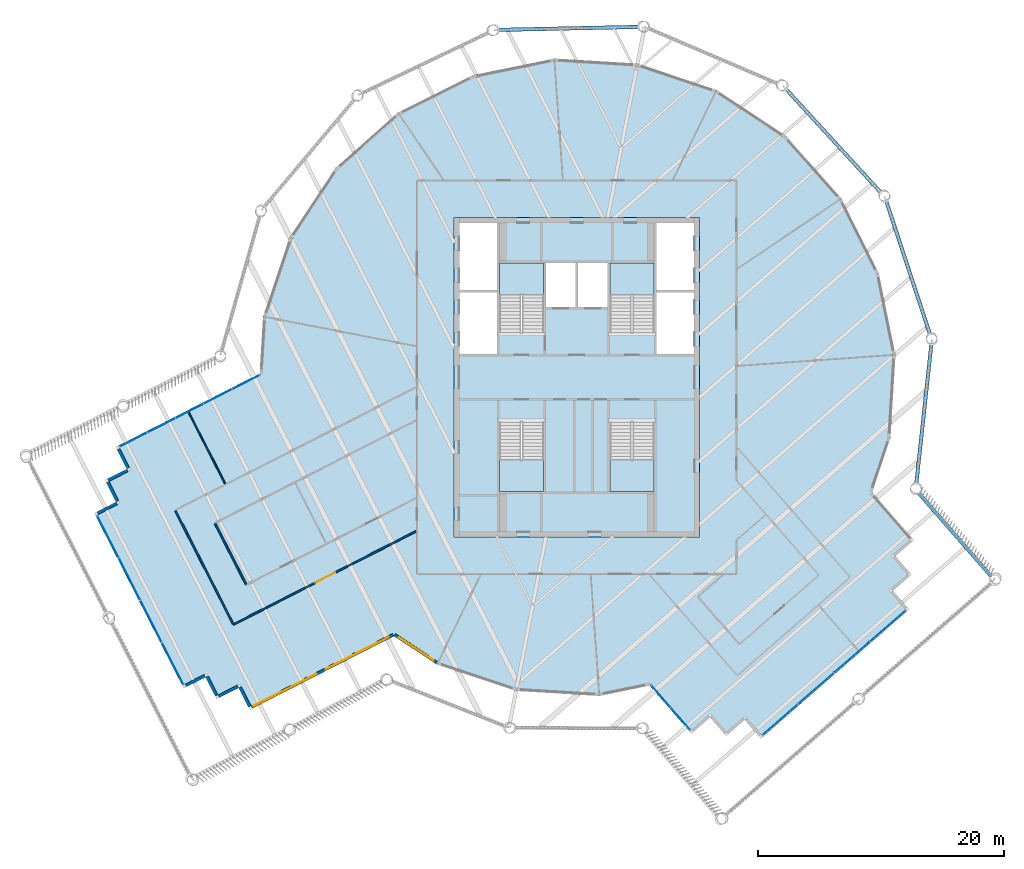
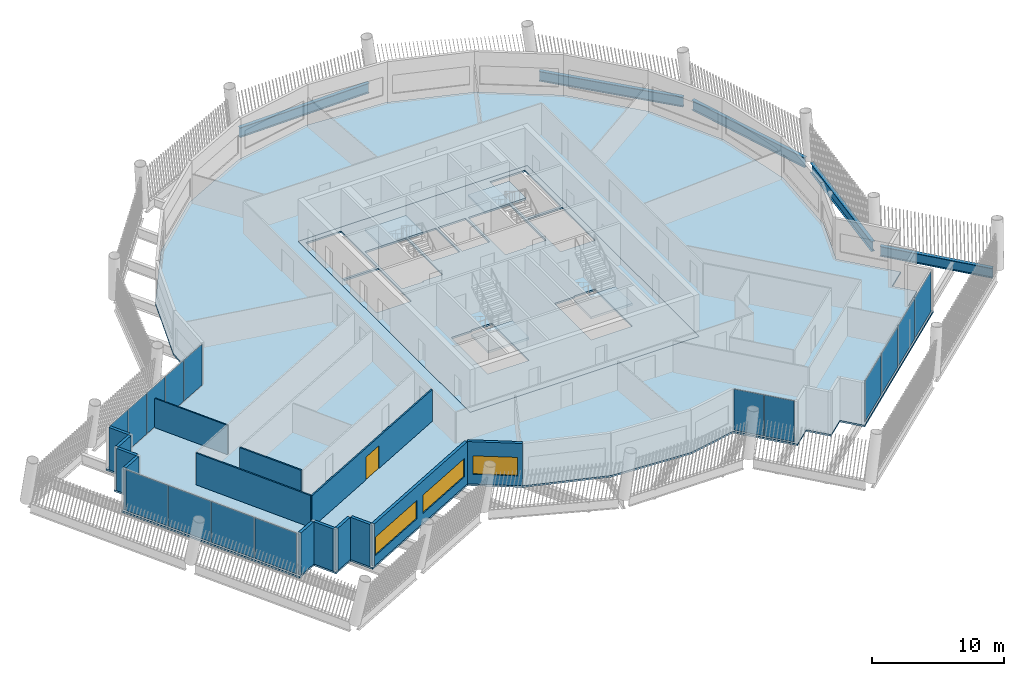
# One storey, part 17 of 28: 15 plates, 14 walls, 6 slabs, 5 beams, 3 windows, 1 door, 4 openings, 8 elements without a shape of their own.
"""IFC4 building model written with IfcOpenShell, lengths in metres."""

from ifc_helpers import new_model, si_unit, direction, frame, frame_2d, origin, origin_2d, place, context, subcontext, project, spatial, polyline, rectangle, i_section, outline, extrude, material, layer, layer_set, material_profile, profile_set, type_object, element, fill, aggregate, save


model = new_model("IFC4")

# Units and contexts
model_context = context("Model", 3, precision=1e-05, world=origin(), true_north=direction((0.0, 1.0)))
body_context = subcontext(model_context, "Body", "Model", "MODEL_VIEW")
ifc_project = project(units=[si_unit("LENGTHUNIT", "METRE"), si_unit("AREAUNIT", "SQUARE_METRE"), si_unit("VOLUMEUNIT", "CUBIC_METRE"), si_unit("PLANEANGLEUNIT", "RADIAN"), si_unit("MASSUNIT", "GRAM", prefix="KILO")], contexts=[model_context])

# Site, building, storey
site_placement = place(None, origin())
site = spatial("IfcSite", under=ifc_project, at=site_placement, CompositionType="ELEMENT")
building_placement = place(site_placement, origin())
building = spatial("IfcBuilding", under=site, at=building_placement, Name="Tarsis Ring Headquarters", CompositionType="ELEMENT")
storey_placement = place(building_placement, frame((0.0, 0.0, 394.39990234375)))
storey = spatial("IfcBuildingStorey", under=building, at=storey_placement, Name="L93", CompositionType="ELEMENT", Elevation=394.39990234375)

# Beams
ifc_material_1 = material(Name="Structural steel S355", Category="steel")
ifc_material_profile = material_profile(ifc_material_1, i_section(OverallWidth=0.3046875, OverallDepth=0.91943359375, WebThickness=0.017333984375, FlangeThickness=0.02783203125, at=origin_2d()), Name="W36x170")
ifc_profile_set = profile_set([ifc_material_profile], Name="Structural steel S355")
beam_type = type_object("IfcBeamType", Name="XG Ring girder W36x170", PredefinedType="BEAM", material=ifc_profile_set)
beam_placement = place(storey_placement, frame((33.741943359375, -16.22021484375, -0.459716796875), z_axis=(-0.656585767051, 0.754251370901, 0.0), x_axis=(-0.754251370901, -0.656585767051, 0.0)))
element("IfcBeam", 1, at=beam_placement, inside=storey, type_object=beam_type, Name="Ring girder XG4", PredefinedType="BEAM", context=body_context, shape_type="SweptSolid", body=[
    extrude(i_section(OverallWidth=0.3046875, OverallDepth=0.91943359375, WebThickness=0.017333984375, FlangeThickness=0.02783203125, at=origin_2d()), origin(), (0.0, 0.0, 1.0), 8.981689453125),
])
for number, where, z_axis, x_axis, name in (
    (2, (27.61865234375, -8.726318359375, -0.459716796875), (0.107286047025, 0.994228195192, 0.0), (-0.994228195192, 0.107286047025, 0.0), "Ring girder XG4"),
    (3, (28.76025390625, 3.43359375, -0.459716796875), (-0.312070911718, 0.950058811895, 0.0), (-0.950058811895, -0.312070911718, 0.0), "Ring girder XG4"),
    (4, (24.7880859375, 14.983154296875, -0.459716796875), (-0.675923928016, 0.736971399401, 0.0), (-0.736971399401, -0.675923928016, 0.0), "Ring girder XG4"),
    (5, (5.111328125, 28.510009765625, -0.459716796875), (-0.999776688544, -0.021132274951, 0.0), (0.021132274951, -0.999776688544, 0.0), "Ring girder XG4"),
):
    element("IfcBeam", number, at=place(storey_placement, frame(where, z_axis=z_axis, x_axis=x_axis)), inside=storey, type_object=beam_type, Name=name, PredefinedType="BEAM", context=body_context, shape_type="SweptSolid", body=[
        extrude(i_section(OverallWidth=0.3046875, OverallDepth=0.91943359375, WebThickness=0.017333984375, FlangeThickness=0.02783203125, at=origin_2d()), origin(), (0.0, 0.0, 1.0), 11.42578125),
    ])

# Slab
ifc_material_2 = material(Name="Concrete C40/50", Category="concrete")
ifc_layer_1 = layer(ifc_material_2, 0.159912109375)
ifc_layer_set_1 = layer_set([ifc_layer_1], Name="Core floor slab 160 C40/50")
slab_type_1 = type_object("IfcSlabType", Name="Core floor slab 160 C40/50", PredefinedType="FLOOR", material=ifc_layer_set_1)
slab_1_placement = place(storey_placement, frame((0.0, 0.0, -0.159912109375)))
element("IfcSlab", 6, at=slab_1_placement, inside=storey, type_object=slab_type_1, Name="L93 core floor slab", PredefinedType="FLOOR", context=body_context, shape_type="SweptSolid", body=[
    extrude(outline(polyline([(-10.0, -13.0), (10.0, -13.0), (10.0, 13.0), (-10.0, 13.0), (-10.0, -13.0)]), holes=[polyline([(-2.5, 5.699951171875), (-0.10009765625, 5.699951171875), (-0.10009765625, 9.300048828125), (-2.5, 9.300048828125), (-2.5, 5.699951171875)]), polyline([(0.10009765625, 5.699951171875), (2.5, 5.699951171875), (2.5, 9.300048828125), (0.10009765625, 9.300048828125), (0.10009765625, 5.699951171875)]), polyline([(-9.550048828125, 1.89990234375), (-6.5, 1.89990234375), (-6.5, 6.89990234375), (-9.550048828125, 6.89990234375), (-9.550048828125, 1.89990234375)]), polyline([(-9.550048828125, 7.10009765625), (-6.5, 7.10009765625), (-6.5, 12.550048828125), (-9.550048828125, 12.550048828125), (-9.550048828125, 7.10009765625)]), polyline([(6.5, 1.89990234375), (9.550048828125, 1.89990234375), (9.550048828125, 6.89990234375), (6.5, 6.89990234375), (6.5, 1.89990234375)]), polyline([(6.5, 7.10009765625), (9.550048828125, 7.10009765625), (9.550048828125, 12.550048828125), (6.5, 12.550048828125), (6.5, 7.10009765625)]), polyline([(-2.699951171875, 3.760009765625), (-2.699951171875, 9.300048828125), (-6.300048828125, 9.300048828125), (-6.300048828125, 3.659912109375), (-4.4599609375, 3.659912109375), (-4.4599609375, 3.760009765625), (-2.699951171875, 3.760009765625)]), polyline([(6.300048828125, 3.760009765625), (6.300048828125, 9.300048828125), (2.699951171875, 9.300048828125), (2.699951171875, 3.659912109375), (4.5400390625, 3.659912109375), (4.5400390625, 3.760009765625), (6.300048828125, 3.760009765625)]), polyline([(-6.300048828125, -3.760009765625), (-6.300048828125, -9.300048828125), (-2.699951171875, -9.300048828125), (-2.699951171875, -3.659912109375), (-4.5400390625, -3.659912109375), (-4.5400390625, -3.760009765625), (-6.300048828125, -3.760009765625)]), polyline([(2.699951171875, -3.760009765625), (2.699951171875, -9.300048828125), (6.300048828125, -9.300048828125), (6.300048828125, -3.659912109375), (4.4599609375, -3.659912109375), (4.4599609375, -3.760009765625), (2.699951171875, -3.760009765625)])]), origin(), (0.0, 0.0, 1.0), 0.159912109375),
])

# Stair, slab
ifc_material_3 = material(Name="Core stair 1760")
stair_type = type_object("IfcStairType", Name="Core stair 1760", PredefinedType="HALF_TURN_STAIR", material=ifc_material_3)
stair_1_placement = place(storey_placement, origin())
stair_1 = element("IfcStair", 7, at=stair_1_placement, inside=storey, type_object=stair_type, Name="L93 Firefighting stair", PredefinedType="HALF_TURN_STAIR")
ifc_layer_2 = layer(ifc_material_2, 0.199951171875)
ifc_layer_set_2 = layer_set([ifc_layer_2], Name="Core stair landing 200")
slab_type_2 = type_object("IfcSlabType", Name="Core stair landing 200", PredefinedType="LANDING", material=ifc_layer_set_2)
slab_2_placement = place(storey_placement, frame((0.0, 0.0, 1.900146484375)))
slab_2 = element("IfcSlab", 8, at=slab_2_placement, type_object=slab_type_2, Name="Stair ST1 landing 1", PredefinedType="LANDING", context=body_context, shape_type="SweptSolid", body=[
    extrude(outline(polyline([(-2.699951171875, 6.739990234375), (-2.699951171875, 9.300048828125), (-6.300048828125, 9.300048828125), (-6.300048828125, 6.739990234375), (-2.699951171875, 6.739990234375)])), origin(), (0.0, 0.0, 1.0), 0.199951171875),
])
aggregate(stair_1, [slab_2])

stair_2_placement = place(storey_placement, origin())
stair_2 = element("IfcStair", 9, at=stair_2_placement, inside=storey, type_object=stair_type, Name="L93 Exit stair B", PredefinedType="HALF_TURN_STAIR")
slab_3_placement = place(storey_placement, frame((0.0, 0.0, 1.900146484375)))
slab_3 = element("IfcSlab", 10, at=slab_3_placement, type_object=slab_type_2, Name="Stair ST2 landing 1", PredefinedType="LANDING", context=body_context, shape_type="SweptSolid", body=[
    extrude(outline(polyline([(6.300048828125, 6.739990234375), (6.300048828125, 9.300048828125), (2.699951171875, 9.300048828125), (2.699951171875, 6.739990234375), (6.300048828125, 6.739990234375)])), origin(), (0.0, 0.0, 1.0), 0.199951171875),
])
aggregate(stair_2, [slab_3])

stair_3_placement = place(storey_placement, origin())
stair_3 = element("IfcStair", 11, at=stair_3_placement, inside=storey, type_object=stair_type, Name="L93 Exit stair C", PredefinedType="HALF_TURN_STAIR")
slab_4_placement = place(storey_placement, frame((0.0, 0.0, 1.900146484375)))
slab_4 = element("IfcSlab", 12, at=slab_4_placement, type_object=slab_type_2, Name="Stair ST3 landing 1", PredefinedType="LANDING", context=body_context, shape_type="SweptSolid", body=[
    extrude(outline(polyline([(-6.300048828125, -6.739990234375), (-6.300048828125, -9.300048828125), (-2.699951171875, -9.300048828125), (-2.699951171875, -6.739990234375), (-6.300048828125, -6.739990234375)])), origin(), (0.0, 0.0, 1.0), 0.199951171875),
])
aggregate(stair_3, [slab_4])

stair_4_placement = place(storey_placement, origin())
stair_4 = element("IfcStair", 13, at=stair_4_placement, inside=storey, type_object=stair_type, Name="L93 Exit stair D", PredefinedType="HALF_TURN_STAIR")
slab_5_placement = place(storey_placement, frame((0.0, 0.0, 1.900146484375)))
slab_5 = element("IfcSlab", 14, at=slab_5_placement, type_object=slab_type_2, Name="Stair ST4 landing 1", PredefinedType="LANDING", context=body_context, shape_type="SweptSolid", body=[
    extrude(outline(polyline([(2.699951171875, -6.739990234375), (2.699951171875, -9.300048828125), (6.300048828125, -9.300048828125), (6.300048828125, -6.739990234375), (2.699951171875, -6.739990234375)])), origin(), (0.0, 0.0, 1.0), 0.199951171875),
])
aggregate(stair_4, [slab_5])

# Curtain wall, plates
ifc_material_4 = material(Name="Aluminium curtain wall", Category="aluminium")
ifc_layer_3 = layer(ifc_material_4, 0.199951171875)
ifc_layer_set_3 = layer_set([ifc_layer_3], Name="Curtain wall executive tip")
curtain_wall_type_1 = type_object("IfcCurtainWallType", Name="Curtain wall executive tip", PredefinedType="NOTDEFINED", material=ifc_layer_set_3)
curtain_wall_1_placement = place(storey_placement, origin())
curtain_wall_1 = element("IfcCurtainWall", 15, at=curtain_wall_1_placement, inside=storey, type_object=curtain_wall_type_1, Name="Curtain wall L93-11", PredefinedType="NOTDEFINED")
ifc_material_5 = material(Name="Clear double glazing", Category="glass")
ifc_layer_4 = layer(ifc_material_5, 0.028076171875)
ifc_layer_set_4 = layer_set([ifc_layer_4], Name="Curtain wall glass panel executive tip")
plate_type_1 = type_object("IfcPlateType", Name="Curtain wall glass panel executive tip", PredefinedType="CURTAIN_PANEL", material=ifc_layer_set_4)
plate_1_placement = place(storey_placement, frame((16.557861328125, -27.8466796875, 0.0703125), z_axis=(0.0, 0.0, 1.0), x_axis=(0.754251376416, 0.656585760716, 0.0)))
plate_1 = element("IfcPlate", 16, at=plate_1_placement, type_object=plate_type_1, Name="CW-E panel 1.1", PredefinedType="CURTAIN_PANEL", context=body_context, shape_type="SweptSolid", body=[
    extrude(rectangle(XDim=3.77001953125, YDim=0.028076171875, at=origin_2d()), origin(), (0.0, 0.0, 1.0), 3.760009765625),
])
plate_2_placement = place(storey_placement, frame((19.46728515625, -25.31396484375, 0.0703125), z_axis=(0.0, 0.0, 1.0), x_axis=(0.754251376416, 0.656585760716, 0.0)))
plate_2 = element("IfcPlate", 17, at=plate_2_placement, type_object=plate_type_1, Name="CW-E panel 2.1", PredefinedType="CURTAIN_PANEL", context=body_context, shape_type="SweptSolid", body=[
    extrude(rectangle(XDim=3.804931640625, YDim=0.028076171875, at=origin_2d()), origin(), (0.0, 0.0, 1.0), 3.760009765625),
])
plate_3_placement = place(storey_placement, frame((22.39013671875, -22.76953125, 0.0703125), z_axis=(0.0, 0.0, 1.0), x_axis=(0.754251376416, 0.656585760716, 0.0)))
plate_3 = element("IfcPlate", 18, at=plate_3_placement, type_object=plate_type_1, Name="CW-E panel 3.1", PredefinedType="CURTAIN_PANEL", context=body_context, shape_type="SweptSolid", body=[
    extrude(rectangle(XDim=3.804931640625, YDim=0.028076171875, at=origin_2d()), origin(), (0.0, 0.0, 1.0), 3.760009765625),
])
plate_4_placement = place(storey_placement, frame((25.299560546875, -20.23681640625, 0.0703125), z_axis=(0.0, 0.0, 1.0), x_axis=(0.754251376416, 0.656585760716, 0.0)))
plate_4 = element("IfcPlate", 19, at=plate_4_placement, type_object=plate_type_1, Name="CW-E panel 4.1", PredefinedType="CURTAIN_PANEL", context=body_context, shape_type="SweptSolid", body=[
    extrude(rectangle(XDim=3.77001953125, YDim=0.028076171875, at=origin_2d()), origin(), (0.0, 0.0, 1.0), 3.760009765625),
])
aggregate(curtain_wall_1, [plate_1, plate_2, plate_3, plate_4])

curtain_wall_2_placement = place(storey_placement, origin())
curtain_wall_2 = element("IfcCurtainWall", 20, at=curtain_wall_2_placement, inside=storey, type_object=curtain_wall_type_1, Name="Curtain wall L93-36", PredefinedType="NOTDEFINED")
plate_5_placement = place(storey_placement, frame((-38.150634765625, -12.966064453125, 0.0703125), z_axis=(0.0, 0.0, 1.0), x_axis=(0.454612449801, -0.890689351281, 0.0)))
plate_5 = element("IfcPlate", 21, at=plate_5_placement, type_object=plate_type_1, Name="CW-E panel 1.1", PredefinedType="CURTAIN_PANEL", context=body_context, shape_type="SweptSolid", body=[
    extrude(rectangle(XDim=3.77001953125, YDim=0.028076171875, at=origin_2d()), origin(), (0.0, 0.0, 1.0), 3.760009765625),
])
plate_6_placement = place(storey_placement, frame((-36.39697265625, -16.40185546875, 0.0703125), z_axis=(0.0, 0.0, 1.0), x_axis=(0.454612449801, -0.890689351281, 0.0)))
plate_6 = element("IfcPlate", 22, at=plate_6_placement, type_object=plate_type_1, Name="CW-E panel 2.1", PredefinedType="CURTAIN_PANEL", context=body_context, shape_type="SweptSolid", body=[
    extrude(rectangle(XDim=3.804931640625, YDim=0.028076171875, at=origin_2d()), origin(), (0.0, 0.0, 1.0), 3.760009765625),
])
plate_7_placement = place(storey_placement, frame((-34.635498046875, -19.853271484375, 0.0703125), z_axis=(0.0, 0.0, 1.0), x_axis=(0.454612449801, -0.890689351281, 0.0)))
plate_7 = element("IfcPlate", 23, at=plate_7_placement, type_object=plate_type_1, Name="CW-E panel 3.1", PredefinedType="CURTAIN_PANEL", context=body_context, shape_type="SweptSolid", body=[
    extrude(rectangle(XDim=3.804931640625, YDim=0.028076171875, at=origin_2d()), origin(), (0.0, 0.0, 1.0), 3.760009765625),
])
plate_8_placement = place(storey_placement, frame((-32.8818359375, -23.289306640625, 0.0703125), z_axis=(0.0, 0.0, 1.0), x_axis=(0.454612449801, -0.890689351281, 0.0)))
plate_8 = element("IfcPlate", 24, at=plate_8_placement, type_object=plate_type_1, Name="CW-E panel 4.1", PredefinedType="CURTAIN_PANEL", context=body_context, shape_type="SweptSolid", body=[
    extrude(rectangle(XDim=3.77001953125, YDim=0.028076171875, at=origin_2d()), origin(), (0.0, 0.0, 1.0), 3.760009765625),
])
aggregate(curtain_wall_2, [plate_5, plate_6, plate_7, plate_8])

ifc_layer_5 = layer(ifc_material_4, 0.14990234375)
ifc_layer_set_5 = layer_set([ifc_layer_5], Name="Curtain wall tower unit")
curtain_wall_type_2 = type_object("IfcCurtainWallType", Name="Curtain wall tower unit", PredefinedType="NOTDEFINED", material=ifc_layer_set_5)
curtain_wall_3_placement = place(storey_placement, origin())
curtain_wall_3 = element("IfcCurtainWall", 25, at=curtain_wall_3_placement, inside=storey, type_object=curtain_wall_type_2, Name="Curtain wall L93-06", PredefinedType="NOTDEFINED")
ifc_layer_6 = layer(ifc_material_5, 0.028076171875)
ifc_layer_set_6 = layer_set([ifc_layer_6], Name="Curtain wall glass panel tower unit")
plate_type_2 = type_object("IfcPlateType", Name="Curtain wall glass panel tower unit", PredefinedType="CURTAIN_PANEL", material=ifc_layer_set_6)
plate_9_placement = place(storey_placement, frame((6.849609375, -25.954345703125, 0.06005859375), z_axis=(0.0, 0.0, 1.0), x_axis=(0.656585830868, -0.754251315348, 0.0)))
plate_9 = element("IfcPlate", 26, at=plate_9_placement, type_object=plate_type_2, Name="CW-T panel 1.1", PredefinedType="CURTAIN_PANEL", context=body_context, shape_type="SweptSolid", body=[
    extrude(rectangle(XDim=2.37109375, YDim=0.028076171875, at=origin_2d()), origin(), (0.0, 0.0, 1.0), 3.780029296875),
])
plate_10_placement = place(storey_placement, frame((8.44580078125, -27.7880859375, 0.06005859375), z_axis=(0.0, 0.0, 1.0), x_axis=(0.656585830868, -0.754251315348, 0.0)))
plate_10 = element("IfcPlate", 27, at=plate_10_placement, type_object=plate_type_2, Name="CW-T panel 2.1", PredefinedType="CURTAIN_PANEL", context=body_context, shape_type="SweptSolid", body=[
    extrude(rectangle(XDim=2.37109375, YDim=0.028076171875, at=origin_2d()), origin(), (0.0, 0.0, 1.0), 3.780029296875),
])
aggregate(curtain_wall_3, [plate_9, plate_10])

curtain_wall_4_placement = place(storey_placement, origin())
curtain_wall_4 = element("IfcCurtainWall", 28, at=curtain_wall_4_placement, inside=storey, type_object=curtain_wall_type_2, Name="Curtain wall L93-31", PredefinedType="NOTDEFINED")
plate_11_placement = place(storey_placement, frame((-26.912109375, -0.40380859375, 0.06005859375), z_axis=(0.0, 0.0, 1.0), x_axis=(-0.890689346251, -0.454612459657, 0.0)))
plate_11 = element("IfcPlate", 29, at=plate_11_placement, type_object=plate_type_2, Name="CW-T panel 1.1", PredefinedType="CURTAIN_PANEL", context=body_context, shape_type="SweptSolid", body=[
    extrude(rectangle(XDim=2.490234375, YDim=0.028076171875, at=origin_2d()), origin(), (0.0, 0.0, 1.0), 3.780029296875),
])
plate_12_placement = place(storey_placement, frame((-29.197021484375, -1.56982421875, 0.06005859375), z_axis=(0.0, 0.0, 1.0), x_axis=(-0.890689346251, -0.454612459657, 0.0)))
plate_12 = element("IfcPlate", 30, at=plate_12_placement, type_object=plate_type_2, Name="CW-T panel 2.1", PredefinedType="CURTAIN_PANEL", context=body_context, shape_type="SweptSolid", body=[
    extrude(rectangle(XDim=2.520263671875, YDim=0.028076171875, at=origin_2d()), origin(), (0.0, 0.0, 1.0), 3.780029296875),
])
plate_13_placement = place(storey_placement, frame((-31.4951171875, -2.742919921875, 0.06005859375), z_axis=(0.0, 0.0, 1.0), x_axis=(-0.890689346251, -0.454612459657, 0.0)))
plate_13 = element("IfcPlate", 31, at=plate_13_placement, type_object=plate_type_2, Name="CW-T panel 3.1", PredefinedType="CURTAIN_PANEL", context=body_context, shape_type="SweptSolid", body=[
    extrude(rectangle(XDim=2.520263671875, YDim=0.028076171875, at=origin_2d()), origin(), (0.0, 0.0, 1.0), 3.780029296875),
])
plate_14_placement = place(storey_placement, frame((-33.79345703125, -3.916015625, 0.06005859375), z_axis=(0.0, 0.0, 1.0), x_axis=(-0.890689346251, -0.454612459657, 0.0)))
plate_14 = element("IfcPlate", 32, at=plate_14_placement, type_object=plate_type_2, Name="CW-T panel 4.1", PredefinedType="CURTAIN_PANEL", context=body_context, shape_type="SweptSolid", body=[
    extrude(rectangle(XDim=2.520263671875, YDim=0.028076171875, at=origin_2d()), origin(), (0.0, 0.0, 1.0), 3.780029296875),
])
plate_15_placement = place(storey_placement, frame((-36.078125, -5.08203125, 0.06005859375), z_axis=(0.0, 0.0, 1.0), x_axis=(-0.890689346251, -0.454612459657, 0.0)))
plate_15 = element("IfcPlate", 33, at=plate_15_placement, type_object=plate_type_2, Name="CW-T panel 5.1", PredefinedType="CURTAIN_PANEL", context=body_context, shape_type="SweptSolid", body=[
    extrude(rectangle(XDim=2.490234375, YDim=0.028076171875, at=origin_2d()), origin(), (0.0, 0.0, 1.0), 3.780029296875),
])
aggregate(curtain_wall_4, [plate_11, plate_12, plate_13, plate_14, plate_15])

# Slab
ifc_material_6 = material(Name="Concrete C35/45", Category="concrete")
ifc_layer_7 = layer(ifc_material_6, 0.159912109375)
ifc_layer_set_7 = layer_set([ifc_layer_7], Name="FS Composite floor slab 160")
slab_type_3 = type_object("IfcSlabType", Name="FS Composite floor slab 160", PredefinedType="FLOOR", material=ifc_layer_set_7)
slab_6_placement = place(storey_placement, frame((0.0, 0.0, -0.159912109375)))
element("IfcSlab", 34, at=slab_6_placement, inside=storey, type_object=slab_type_3, Name="Floor slab L93", PredefinedType="FLOOR", context=body_context, shape_type="SweptSolid", body=[
    extrude(outline(polyline([(-14.877197265625, -21.066162109375), (-11.38134765625, -23.376708984375), (-4.943115234375, -25.52587890625), (1.831787109375, -25.935302734375), (5.9375, -25.09716796875), (9.33349609375, -28.998046875), (10.841796875, -27.684814453125), (12.155029296875, -29.193359375), (13.66357421875, -27.880126953125), (14.976806640625, -29.388671875), (27.044677734375, -18.88330078125), (25.731689453125, -17.374755859375), (27.239990234375, -16.061767578125), (25.927001953125, -14.55322265625), (27.435302734375, -13.239990234375), (24.05322265625, -9.354736328125), (25.52587890625, -4.943115234375), (25.935302734375, 1.831787109375), (24.57763671875, 8.48193359375), (21.544921875, 14.553955078125), (17.0439453125, 19.63427734375), (11.38134765625, 23.376708984375), (4.943115234375, 25.52587890625), (-1.831787109375, 25.935302734375), (-8.48193359375, 24.57763671875), (-14.553955078125, 21.544921875), (-19.63427734375, 17.0439453125), (-23.376708984375, 11.38134765625), (-25.52587890625, 4.943115234375), (-25.806396484375, 0.301025390625), (-37.520263671875, -5.677734375), (-36.61083984375, -7.459228515625), (-38.392333984375, -8.368408203125), (-37.483154296875, -10.149658203125), (-39.264404296875, -11.05908203125), (-31.99072265625, -25.31005859375), (-30.209228515625, -24.40087890625), (-29.300048828125, -26.18212890625), (-27.518798828125, -25.27294921875), (-26.609375, -27.05419921875), (-14.877197265625, -21.066162109375)]), holes=[polyline([(-10.0, -13.0), (-10.0, 13.0), (10.0, 13.0), (10.0, -13.0), (-10.0, -13.0)])]), origin(), (0.0, 0.0, 1.0), 0.159912109375),
])

# Wall
ifc_material_7 = material(Name="Gypsum board on steel studs", Category="steel")
ifc_layer_8 = layer(ifc_material_7, 0.10009765625)
ifc_layer_set_8 = layer_set([ifc_layer_8], Name="FL partition 100 unrated")
wall_type_1 = type_object("IfcWallType", Name="FL partition 100 unrated", PredefinedType="PARTITIONING", material=ifc_layer_set_8)
wall_1_placement = place(storey_placement, frame((-31.63671875, -2.73095703125, 0.0), z_axis=(0.0, 0.0, 1.0), x_axis=(0.454617544122, -0.890686751095, 0.0)))
element("IfcWall", 35, at=wall_1_placement, inside=storey, type_object=wall_type_1, Name="Partition PW3", PredefinedType="PARTITIONING", context=body_context, shape_type="SweptSolid", body=[
    extrude(rectangle(XDim=6.66015625, YDim=0.10009765625, at=frame_2d((3.330078125, 0.0))), origin(), (0.0, 0.0, 1.0), 2.7001953125),
])

# Wall, opening, door
ifc_layer_9 = layer(ifc_material_7, 0.125)
ifc_layer_set_9 = layer_set([ifc_layer_9], Name="FL partition 125 EI 60 H2930")
wall_type_2 = type_object("IfcWallType", Name="FL partition 125 EI 60 H2930", PredefinedType="PARTITIONING", material=ifc_layer_set_9)
wall_2_placement = place(storey_placement, frame((-27.93701171875, -20.119873046875, 0.0), z_axis=(0.0, 0.0, 1.0), x_axis=(0.890690514184, 0.454610171403, 0.0)))
wall_2 = element("IfcWall", 36, at=wall_2_placement, inside=storey, type_object=wall_type_2, Name="Partition PW1H293", PredefinedType="PARTITIONING", context=body_context, shape_type="SweptSolid", body=[
    extrude(rectangle(XDim=16.68017578125, YDim=0.125, at=frame_2d((8.340087890625, 0.0))), origin(), (0.0, 0.0, 1.0), 2.93017578125),
])
opening_1_placement = place(wall_2_placement, frame((7.485107421875, 0.0, 0.0)))
opening_1 = element("IfcOpeningElement", 37, at=opening_1_placement, cuts=wall_2, Name="Opening D93.01", PredefinedType="OPENING", context=body_context, shape_type="SweptSolid", body=[
    extrude(rectangle(XDim=1.800048828125, YDim=2.10009765625, at=frame_2d((0.89990234375, 1.050048828125))), frame((0.0, 0.072509765625, 0.0), z_axis=(0.0, -1.0, 0.0), x_axis=(1.0, 0.0, 0.0)), (0.0, 0.0, 1.0), 0.14501953125),
])
ifc_material_8 = material(Name="Fire-rated timber door leaf in steel frame", Category="steel")
door_type = type_object("IfcDoorType", Name="FL door FD60-1800", OperationType="DOUBLE_DOOR_SINGLE_SWING", PredefinedType="DOOR", material=ifc_material_8)
door_placement = place(opening_1_placement, origin())
door = element("IfcDoor", 38, at=door_placement, inside=storey, type_object=door_type, Name="Door D93.01", OperationType="DOUBLE_DOOR_SINGLE_SWING", OverallHeight=2.10009765625, OverallWidth=1.800048828125, PredefinedType="DOOR", context=body_context, shape_type="SweptSolid", body=[
    extrude(rectangle(XDim=1.800048828125, YDim=2.10009765625, at=frame_2d((0.89990234375, 1.050048828125))), frame((0.0, 0.02490234375, 0.0), z_axis=(0.0, -1.0, 0.0), x_axis=(1.0, 0.0, 0.0)), (0.0, 0.0, 1.0), 0.050048828125),
])
fill(opening_1, door)

# Walls
wall_3_placement = place(storey_placement, frame((-32.656005859375, -10.87451171875, 0.0), z_axis=(0.0, 0.0, 1.0), x_axis=(0.454617054424, -0.890687001043, 0.0)))
element("IfcWall", 39, at=wall_3_placement, inside=storey, type_object=wall_type_2, Name="Partition PW1H293", PredefinedType="PARTITIONING", context=body_context, shape_type="SweptSolid", body=[
    extrude(rectangle(XDim=10.320068359375, YDim=0.125, at=frame_2d((5.16015625, 0.0))), origin(), (0.0, 0.0, 1.0), 2.93017578125),
])
wall_4_placement = place(storey_placement, frame((-29.42724609375, -11.921142578125, 0.0), z_axis=(0.0, 0.0, 1.0), x_axis=(0.454628614254, -0.890681100676, 0.0)))
element("IfcWall", 40, at=wall_4_placement, inside=storey, type_object=wall_type_2, Name="Partition PW1H293", PredefinedType="PARTITIONING", context=body_context, shape_type="SweptSolid", body=[
    extrude(rectangle(XDim=5.52001953125, YDim=0.125, at=frame_2d((2.760009765625, 0.0))), origin(), (0.0, 0.0, 1.0), 2.93017578125),
])

# Wall, openings, windows
ifc_material_9 = material(Name="Terracotta clad insulated panel wall", Category="masonry")
ifc_layer_10 = layer(ifc_material_9, 0.25)
ifc_layer_set_10 = layer_set([ifc_layer_10], Name="Facade wall terracotta panel 250")
wall_type_3 = type_object("IfcWallType", Name="Facade wall terracotta panel 250", PredefinedType="STANDARD", material=ifc_layer_set_10)
wall_5_placement = place(storey_placement, frame((-26.443603515625, -26.829345703125, 0.0), z_axis=(0.0, 0.0, 1.0), x_axis=(0.890689587916, 0.454611986179, 0.0)))
wall_5 = element("IfcWall", 41, at=wall_5_placement, inside=storey, type_object=wall_type_3, Name="External wall L93-01", PredefinedType="STANDARD", context=body_context, shape_type="SweptSolid", body=[
    extrude(rectangle(XDim=12.922119140625, YDim=0.25, at=frame_2d((6.4609375, 0.0))), origin(), (0.0, 0.0, 1.0), 3.900146484375),
])
opening_2_placement = place(wall_5_placement, frame((0.16796875, 0.0, 0.89990234375)))
opening_2 = element("IfcOpeningElement", 42, at=opening_2_placement, cuts=wall_5, Name="Opening WN06", PredefinedType="OPENING", context=body_context, shape_type="SweptSolid", body=[
    extrude(rectangle(XDim=5.75, YDim=1.699951171875, at=frame_2d((2.875, 0.85009765625))), frame((0.0, 0.135009765625, 0.0), z_axis=(0.0, -1.0, 0.0), x_axis=(1.0, 0.0, 0.0)), (0.0, 0.0, 1.0), 0.27001953125),
])
opening_3_placement = place(wall_5_placement, frame((6.75390625, 0.0, 0.89990234375)))
opening_3 = element("IfcOpeningElement", 43, at=opening_3_placement, cuts=wall_5, Name="Opening WN06", PredefinedType="OPENING", context=body_context, shape_type="SweptSolid", body=[
    extrude(rectangle(XDim=5.75, YDim=1.699951171875, at=frame_2d((2.875, 0.85009765625))), frame((0.0, 0.135009765625, 0.0), z_axis=(0.0, -1.0, 0.0), x_axis=(1.0, 0.0, 0.0)), (0.0, 0.0, 1.0), 0.27001953125),
])
ifc_material_10 = material(Name="Aluminium framed double glazing", Category="aluminium")
window_type_1 = type_object("IfcWindowType", Name="Facade window 5750 x 1700", PartitioningType="SINGLE_PANEL", PredefinedType="WINDOW", material=ifc_material_10)
window_1_placement = place(opening_2_placement, origin())
window_1 = element("IfcWindow", 44, at=window_1_placement, inside=storey, type_object=window_type_1, Name="Window L93-01.1", OverallHeight=1.699951171875, OverallWidth=5.75, PartitioningType="SINGLE_PANEL", PredefinedType="WINDOW", context=body_context, shape_type="SweptSolid", body=[
    extrude(rectangle(XDim=5.75, YDim=1.699951171875, at=frame_2d((2.875, 0.85009765625))), frame((0.0, 0.030029296875, 0.0), z_axis=(0.0, -1.0, 0.0), x_axis=(1.0, 0.0, 0.0)), (0.0, 0.0, 1.0), 0.06005859375),
])
fill(opening_2, window_1)
window_2_placement = place(opening_3_placement, origin())
window_2 = element("IfcWindow", 45, at=window_2_placement, inside=storey, type_object=window_type_1, Name="Window L93-01.2", OverallHeight=1.699951171875, OverallWidth=5.75, PartitioningType="SINGLE_PANEL", PredefinedType="WINDOW", context=body_context, shape_type="SweptSolid", body=[
    extrude(rectangle(XDim=5.75, YDim=1.699951171875, at=frame_2d((2.875, 0.85009765625))), frame((0.0, 0.030029296875, 0.0), z_axis=(0.0, -1.0, 0.0), x_axis=(1.0, 0.0, 0.0)), (0.0, 0.0, 1.0), 0.06005859375),
])
fill(opening_3, window_2)

# Wall, opening, window
wall_6_placement = place(storey_placement, frame((-14.808349609375, -20.9619140625, 0.0), z_axis=(0.0, 0.0, 1.0), x_axis=(0.834275028653, -0.551348507357, 0.0)))
wall_6 = element("IfcWall", 46, at=wall_6_placement, inside=storey, type_object=wall_type_3, Name="External wall L93-02", PredefinedType="STANDARD", context=body_context, shape_type="SweptSolid", body=[
    extrude(rectangle(XDim=4.157470703125, YDim=0.25, at=frame_2d((2.07861328125, 0.0))), origin(), (0.0, 0.0, 1.0), 3.900146484375),
])
opening_4_placement = place(wall_6_placement, frame((0.420166015625, 0.0, 0.89990234375)))
opening_4 = element("IfcOpeningElement", 47, at=opening_4_placement, cuts=wall_6, Name="Opening WN01", PredefinedType="OPENING", context=body_context, shape_type="SweptSolid", body=[
    extrude(rectangle(XDim=3.35009765625, YDim=1.699951171875, at=frame_2d((1.675048828125, 0.85009765625))), frame((0.0, 0.135009765625, 0.0), z_axis=(0.0, -1.0, 0.0), x_axis=(1.0, 0.0, 0.0)), (0.0, 0.0, 1.0), 0.27001953125),
])
window_type_2 = type_object("IfcWindowType", Name="Facade window 3350 x 1700", PartitioningType="SINGLE_PANEL", PredefinedType="WINDOW", material=ifc_material_10)
window_3_placement = place(opening_4_placement, origin())
window_3 = element("IfcWindow", 48, at=window_3_placement, inside=storey, type_object=window_type_2, Name="Window L93-02.1", OverallHeight=1.699951171875, OverallWidth=3.35009765625, PartitioningType="SINGLE_PANEL", PredefinedType="WINDOW", context=body_context, shape_type="SweptSolid", body=[
    extrude(rectangle(XDim=3.35009765625, YDim=1.699951171875, at=frame_2d((1.675048828125, 0.85009765625))), frame((0.0, 0.030029296875, 0.0), z_axis=(0.0, -1.0, 0.0), x_axis=(1.0, 0.0, 0.0)), (0.0, 0.0, 1.0), 0.06005859375),
])
fill(opening_4, window_3)

# Walls
wall_7_placement = place(storey_placement, frame((-37.295166015625, -5.843505859375, 0.0), z_axis=(0.0, 0.0, 1.0), x_axis=(0.454619420585, -0.890685793323, 0.0)))
element("IfcWall", 49, at=wall_7_placement, inside=storey, type_object=wall_type_3, Name="External wall L93-32", PredefinedType="STANDARD", context=body_context, shape_type="SweptSolid", body=[
    extrude(rectangle(XDim=1.750244140625, YDim=0.25, at=frame_2d((0.875, 0.0))), origin(), (0.0, 0.0, 1.0), 3.900146484375),
])
wall_8_placement = place(storey_placement, frame((-36.55419921875, -7.570556640625, 0.0), z_axis=(0.0, 0.0, 1.0), x_axis=(-0.890713451262, -0.454565229357, 0.0)))
element("IfcWall", 50, at=wall_8_placement, inside=storey, type_object=wall_type_3, Name="External wall L93-33", PredefinedType="STANDARD", context=body_context, shape_type="SweptSolid", body=[
    extrude(rectangle(XDim=1.749755859375, YDim=0.25, at=frame_2d((0.875, 0.0))), origin(), (0.0, 0.0, 1.0), 3.900146484375),
])
for number, where, z_axis, x_axis, name in (
    (51, (-38.167236328125, -8.5341796875, 0.0), (0.0, 0.0, 1.0), (0.45450874445, -0.890742275419, 0.0), "External wall L93-34"),
    (52, (-37.42626953125, -10.260986328125, 0.0), (0.0, 0.0, 1.0), (-0.890656956956, -0.45467591208, 0.0), "External wall L93-35"),
):
    element("IfcWall", number, at=place(storey_placement, frame(where, z_axis=z_axis, x_axis=x_axis)), inside=storey, type_object=wall_type_3, Name=name, PredefinedType="STANDARD", context=body_context, shape_type="SweptSolid", body=[
        extrude(rectangle(XDim=1.75, YDim=0.25, at=frame_2d((0.875, 0.0))), origin(), (0.0, 0.0, 1.0), 3.900146484375),
    ])
for number, where, z_axis, x_axis, name in (
    (53, (-31.82470703125, -25.0849609375, 0.0), (0.0, 0.0, 1.0), (0.890713451262, 0.454565229357, 0.0), "External wall L93-37"),
    (54, (-30.097900390625, -24.343994140625, 0.0), (0.0, 0.0, 1.0), (0.454565229357, -0.890713451262, 0.0), "External wall L93-38"),
):
    element("IfcWall", number, at=place(storey_placement, frame(where, z_axis=z_axis, x_axis=x_axis)), inside=storey, type_object=wall_type_3, Name=name, PredefinedType="STANDARD", context=body_context, shape_type="SweptSolid", body=[
        extrude(rectangle(XDim=1.749755859375, YDim=0.25, at=frame_2d((0.875, 0.0))), origin(), (0.0, 0.0, 1.0), 3.900146484375),
    ])
for number, where, z_axis, x_axis, name in (
    (55, (-29.13427734375, -25.957275390625, 0.0), (0.0, 0.0, 1.0), (0.890685793323, 0.454619420585, 0.0), "External wall L93-39"),
    (56, (-27.407470703125, -25.216064453125, 0.0), (0.0, 0.0, 1.0), (0.454619420585, -0.890685793323, 0.0), "External wall L93-40"),
):
    element("IfcWall", number, at=place(storey_placement, frame(where, z_axis=z_axis, x_axis=x_axis)), inside=storey, type_object=wall_type_3, Name=name, PredefinedType="STANDARD", context=body_context, shape_type="SweptSolid", body=[
        extrude(rectangle(XDim=1.750244140625, YDim=0.25, at=frame_2d((0.875, 0.0))), origin(), (0.0, 0.0, 1.0), 3.900146484375),
    ])

save(model, "model.ifc")
